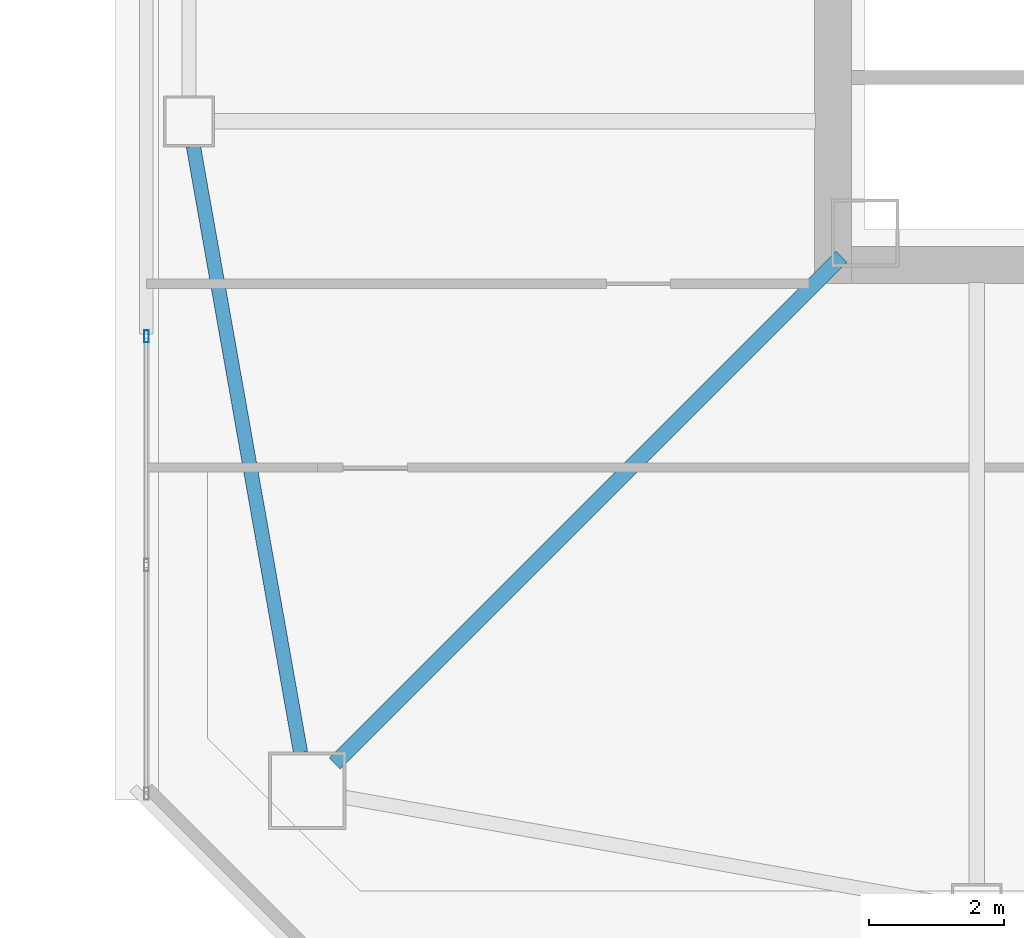
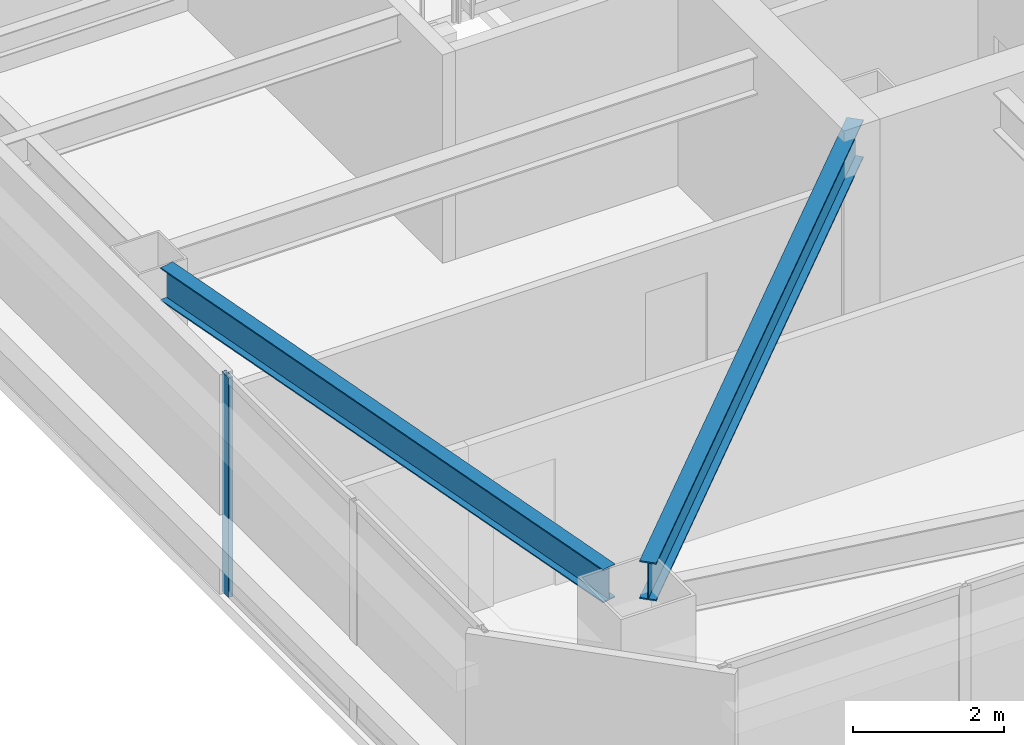
# One storey, part 4 of 44: 2 beams, 1 member, 1 element without a shape of its own.
"""IFC4 building model written with IfcOpenShell, lengths in metres."""

from ifc_helpers import new_model, si_unit, direction, frame, origin, origin_2d, place, context, subcontext, project, spatial, hollow_rectangle, i_section, extrude, material, material_profile, profile_set, type_object, element, aggregate, save


model = new_model("IFC4")

# Units and contexts
model_context = context("Model", 3, precision=1e-05, world=origin(), true_north=direction((0.0, 1.0)))
body_context = subcontext(model_context, "Body", "Model", "MODEL_VIEW")
ifc_project = project(units=[si_unit("LENGTHUNIT", "METRE"), si_unit("AREAUNIT", "SQUARE_METRE"), si_unit("VOLUMEUNIT", "CUBIC_METRE"), si_unit("PLANEANGLEUNIT", "RADIAN"), si_unit("MASSUNIT", "GRAM", prefix="KILO")], contexts=[model_context])

# Site, building, storey
site_placement = place(None, origin())
site = spatial("IfcSite", under=ifc_project, at=site_placement, CompositionType="ELEMENT")
building_placement = place(site_placement, origin())
building = spatial("IfcBuilding", under=site, at=building_placement, Name="Tashvorn Skyway Center", CompositionType="ELEMENT")
storey_placement = place(building_placement, frame((0.0, 0.0, 181.85009765625)))
storey = spatial("IfcBuildingStorey", under=building, at=storey_placement, Name="L49", CompositionType="ELEMENT", Elevation=181.85009765625)

# Beams
ifc_material_1 = material(Name="Steel ASTM A992 Grade 50", Category="steel")
ifc_material_profile_1 = material_profile(ifc_material_1, i_section(OverallWidth=0.22998046875, OverallDepth=0.616943359375, WebThickness=0.01318359375, FlangeThickness=0.022216796875, at=origin_2d()), Name="W24X94")
ifc_profile_set_1 = profile_set([ifc_material_profile_1], Name="Steel ASTM A992 Grade 50")
beam_type_1 = type_object("IfcBeamType", Name="BM-BEAM-W24X94", PredefinedType="BEAM", material=ifc_profile_set_1)
beam_1_placement = place(storey_placement, frame((27.10302734375, 17.10302734375, 3.0615234375), z_axis=(0.707106781187, 0.707106781187, 0.0), x_axis=(-0.707106781187, 0.707106781187, 0.0)))
element("IfcBeam", 1, at=beam_1_placement, inside=storey, type_object=beam_type_1, Name="Tower 1 L49 Primary Floor Girder MC-SW", PredefinedType="BEAM", context=body_context, shape_type="SweptSolid", body=[
    extrude(i_section(OverallWidth=0.22998046875, OverallDepth=0.616943359375, WebThickness=0.01318359375, FlangeThickness=0.022216796875, at=origin_2d()), origin(), (0.0, 0.0, 1.0), 10.6025390625),
])
ifc_material_profile_2 = material_profile(ifc_material_1, i_section(OverallWidth=0.2109375, OverallDepth=0.5390625, WebThickness=0.01171875, FlangeThickness=0.018798828125, at=origin_2d()), Name="W21X73")
ifc_profile_set_2 = profile_set([ifc_material_profile_2], Name="Steel ASTM A992 Grade 50")
beam_type_2 = type_object("IfcBeamType", Name="BM-SPANDREL-W21X73", PredefinedType="SPANDREL", material=ifc_profile_set_2)
beam_2_placement = place(storey_placement, frame((25.014404296875, 26.235595703125, 3.100341796875), z_axis=(0.174074160933, -0.984732545667, 0.0), x_axis=(0.984732545667, 0.174074160933, 0.0)))
element("IfcBeam", 2, at=beam_2_placement, inside=storey, type_object=beam_type_2, Name="Tower 1 L49 Spandrel Beam 12", PredefinedType="SPANDREL", context=body_context, shape_type="SweptSolid", body=[
    extrude(i_section(OverallWidth=0.2109375, OverallDepth=0.5390625, WebThickness=0.01171875, FlangeThickness=0.018798828125, at=origin_2d()), origin(), (0.0, 0.0, 1.0), 9.113525390625),
])

# Curtain wall, member
ifc_material_2 = material(Name="Thermally broken bronze-anodized aluminium 6063-T6", Category="aluminium")
curtain_wall_type = type_object("IfcCurtainWallType", Name="CW-CW-Z4", PredefinedType="NOTDEFINED", material=ifc_material_2)
curtain_wall_placement = place(storey_placement, origin())
curtain_wall = element("IfcCurtainWall", 3, at=curtain_wall_placement, inside=storey, type_object=curtain_wall_type, Name="Tower 1 L49 West Unitised Curtain Wall Glazing Group 1", PredefinedType="NOTDEFINED")
ifc_material_profile_3 = material_profile(ifc_material_2, hollow_rectangle(XDim=0.070068359375, YDim=0.179931640625, WallThickness=0.00390625, at=origin_2d()), Name="ALU-MULL-70x180")
ifc_profile_set_3 = profile_set([ifc_material_profile_3], Name="Thermally broken bronze-anodized aluminium 6063-T6")
member_type = type_object("IfcMemberType", Name="CWM-CW-Z4", PredefinedType="MULLION", material=ifc_profile_set_3)
member_placement = place(storey_placement, frame((24.320068359375, 23.420654296875, 0.0), z_axis=(0.0, 0.0, 1.0), x_axis=(-1.0, 0.0, 0.0)))
member = element("IfcMember", 4, at=member_placement, type_object=member_type, Name="CW-Z4 mullion 3", PredefinedType="MULLION", context=body_context, shape_type="SweptSolid", body=[
    extrude(hollow_rectangle(XDim=0.070068359375, YDim=0.179931640625, WallThickness=0.00390625, at=origin_2d()), origin(), (0.0, 0.0, 1.0), 3.5498046875),
])
aggregate(curtain_wall, [member])

save(model, "model.ifc")
